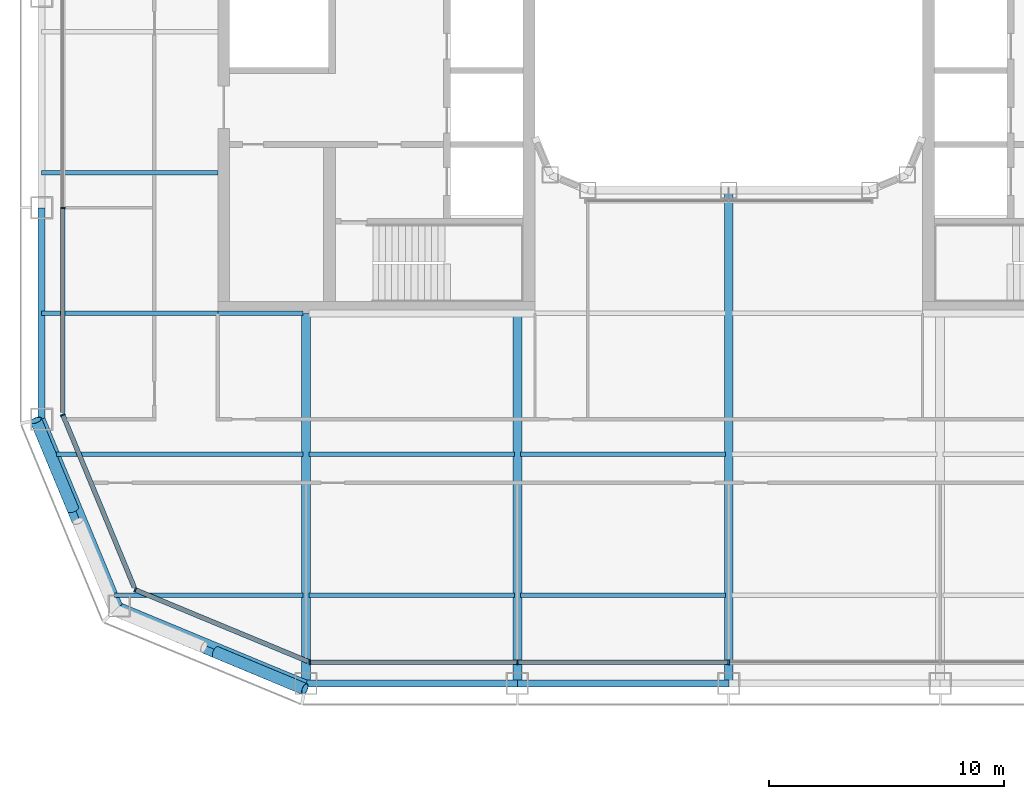
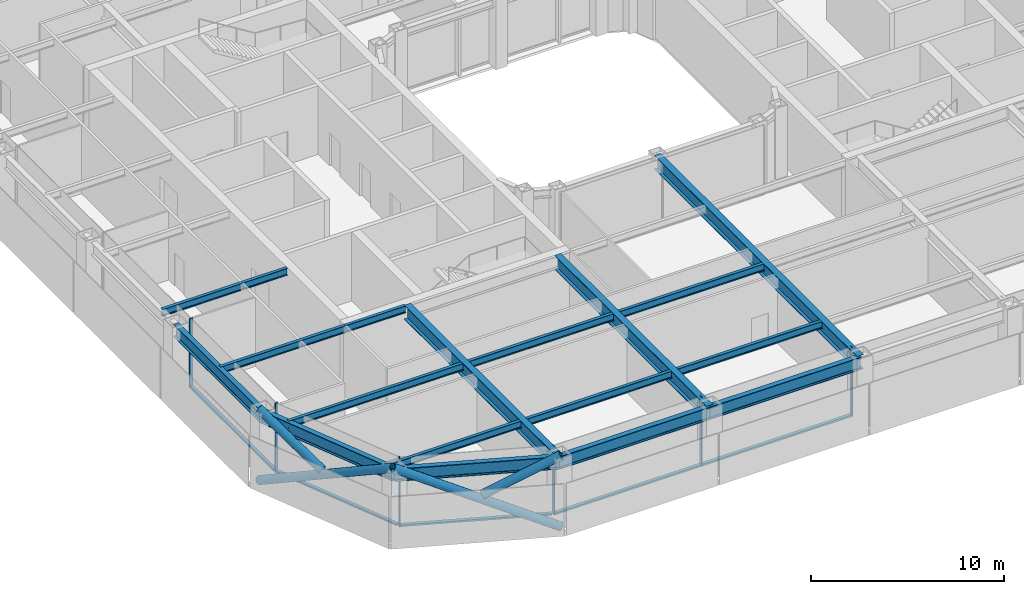
# One storey, part 2 of 23: 17 beams, 15 members, 4 elements without a shape of their own.
"""IFC4 building model written with IfcOpenShell, lengths in metres."""

from ifc_helpers import new_model, si_unit, direction, frame, origin, origin_2d, place, context, subcontext, project, spatial, rectangle, hollow_circle, i_section, extrude, material, layer, layer_set, material_profile, profile_set, type_object, element, aggregate, save


model = new_model("IFC4")

# Units and contexts
model_context = context("Model", 3, precision=1e-05, world=origin(), true_north=direction((0.0, 1.0)))
body_context = subcontext(model_context, "Body", "Model", "MODEL_VIEW")
ifc_project = project(units=[si_unit("LENGTHUNIT", "METRE"), si_unit("AREAUNIT", "SQUARE_METRE"), si_unit("VOLUMEUNIT", "CUBIC_METRE"), si_unit("PLANEANGLEUNIT", "RADIAN"), si_unit("MASSUNIT", "GRAM", prefix="KILO")], contexts=[model_context])

# Site, building, storey
site_placement = place(None, origin())
site = spatial("IfcSite", under=ifc_project, at=site_placement, CompositionType="ELEMENT")
building_placement = place(site_placement, origin())
building = spatial("IfcBuilding", under=site, at=building_placement, Name="Siwar Civic Tower", CompositionType="ELEMENT")
storey_placement = place(building_placement, frame((0.0, 0.0, 127.199951171875)))
storey = spatial("IfcBuildingStorey", under=building, at=storey_placement, Name="L27", CompositionType="ELEMENT", Elevation=127.199951171875)

# Curtain wall, members
ifc_material_1 = material(Name="Aluminium and glass", Category="aluminium")
ifc_layer_1 = layer(ifc_material_1, 0.199951171875)
ifc_layer_set_1 = layer_set([ifc_layer_1], Name="Aluminium and glass")
curtain_wall_type_1 = type_object("IfcCurtainWallType", Name="ENV-CW-B", PredefinedType="NOTDEFINED", material=ifc_layer_set_1)
curtain_wall_1_placement = place(storey_placement, origin())
curtain_wall_1 = element("IfcCurtainWall", 1, at=curtain_wall_1_placement, inside=storey, type_object=curtain_wall_type_1, Name="Curtain wall B S", PredefinedType="NOTDEFINED")
ifc_material_2 = material(Name="Aluminium 6063-T6", Category="aluminium")
ifc_material_profile_1 = material_profile(ifc_material_2, rectangle(XDim=0.199951171875, YDim=0.06494140625, at=origin_2d()), Name="AL 200x65")
ifc_profile_set_1 = profile_set([ifc_material_profile_1], Name="Aluminium 6063-T6")
member_type_1 = type_object("IfcMemberType", Name="ENV-MULLION-B", PredefinedType="MULLION", material=ifc_profile_set_1)
member_1_placement = place(storey_placement, frame((-17.821044921875, -28.35009765625, 0.0), z_axis=(0.0, 0.0, 1.0), x_axis=(0.0, 1.0, 0.0)))
member_1 = element("IfcMember", 2, at=member_1_placement, type_object=member_type_1, Name="Mullion B S 1", PredefinedType="MULLION", context=body_context, shape_type="SweptSolid", body=[
    extrude(rectangle(XDim=0.199951171875, YDim=0.06494140625, at=origin_2d()), origin(), (0.0, 0.0, 1.0), 4.35009765625),
])
member_2_placement = place(storey_placement, frame((-9.0, -28.35009765625, 0.0), z_axis=(0.0, 0.0, 1.0), x_axis=(0.0, 1.0, 0.0)))
member_2 = element("IfcMember", 3, at=member_2_placement, type_object=member_type_1, Name="Mullion B S 2", PredefinedType="MULLION", context=body_context, shape_type="SweptSolid", body=[
    extrude(rectangle(XDim=0.199951171875, YDim=0.06494140625, at=origin_2d()), origin(), (0.0, 0.0, 1.0), 4.35009765625),
])
member_3_placement = place(storey_placement, frame((0.0, -28.35009765625, 0.0), z_axis=(0.0, 0.0, 1.0), x_axis=(0.0, 1.0, 0.0)))
member_3 = element("IfcMember", 4, at=member_3_placement, type_object=member_type_1, Name="Mullion B S 3", PredefinedType="MULLION", context=body_context, shape_type="SweptSolid", body=[
    extrude(rectangle(XDim=0.199951171875, YDim=0.06494140625, at=origin_2d()), origin(), (0.0, 0.0, 1.0), 4.35009765625),
])

# Curtain wall, member
curtain_wall_2_placement = place(storey_placement, origin())
curtain_wall_2 = element("IfcCurtainWall", 5, at=curtain_wall_2_placement, inside=storey, type_object=curtain_wall_type_1, Name="Curtain wall B W", PredefinedType="NOTDEFINED")
member_4_placement = place(storey_placement, frame((-28.35009765625, -9.0, 0.0), z_axis=(0.0, 0.0, 1.0), x_axis=(1.0, 0.0, 0.0)))
member_4 = element("IfcMember", 6, at=member_4_placement, type_object=member_type_1, Name="Mullion B W 4", PredefinedType="MULLION", context=body_context, shape_type="SweptSolid", body=[
    extrude(rectangle(XDim=0.199951171875, YDim=0.06494140625, at=origin_2d()), origin(), (0.0, 0.0, 1.0), 4.35009765625),
])

ifc_material_3 = material(Name="Aluminium clad insulated panel", Category="aluminium")
ifc_layer_2 = layer(ifc_material_3, 0.199951171875)
ifc_layer_set_2 = layer_set([ifc_layer_2], Name="Aluminium clad insulated panel")
curtain_wall_type_2 = type_object("IfcCurtainWallType", Name="ENV-CW-BX", PredefinedType="NOTDEFINED", material=ifc_layer_set_2)
curtain_wall_3_placement = place(storey_placement, origin())
curtain_wall_3 = element("IfcCurtainWall", 7, at=curtain_wall_3_placement, inside=storey, type_object=curtain_wall_type_2, Name="Curtain wall B SW1", PredefinedType="NOTDEFINED")
member_5_placement = place(storey_placement, frame((-28.35009765625, -17.821044921875, 0.0), z_axis=(0.0, 0.0, 1.0), x_axis=(0.923879532511, 0.382683432365, 0.0)))
member_5 = element("IfcMember", 8, at=member_5_placement, type_object=member_type_1, Name="Mullion B SW1 1", PredefinedType="MULLION", context=body_context, shape_type="SweptSolid", body=[
    extrude(rectangle(XDim=0.199951171875, YDim=0.06494140625, at=origin_2d()), origin(), (0.0, 0.0, 1.0), 4.35009765625),
])

curtain_wall_4_placement = place(storey_placement, origin())
curtain_wall_4 = element("IfcCurtainWall", 9, at=curtain_wall_4_placement, inside=storey, type_object=curtain_wall_type_2, Name="Curtain wall B SW2", PredefinedType="NOTDEFINED")
member_6_placement = place(storey_placement, frame((-25.26611328125, -25.26611328125, 0.0), z_axis=(0.0, 0.0, 1.0), x_axis=(0.382683432365, 0.923879532511, 0.0)))
member_6 = element("IfcMember", 10, at=member_6_placement, type_object=member_type_1, Name="Mullion B SW2 1", PredefinedType="MULLION", context=body_context, shape_type="SweptSolid", body=[
    extrude(rectangle(XDim=0.199951171875, YDim=0.06494140625, at=origin_2d()), origin(), (0.0, 0.0, 1.0), 4.35009765625),
])

# Member
ifc_material_4 = material(Name="Aluminium 6063-T6", Category="aluminium")
ifc_material_profile_2 = material_profile(ifc_material_4, rectangle(XDim=0.199951171875, YDim=0.110107421875, at=origin_2d()), Name="AL 200x110")
ifc_profile_set_2 = profile_set([ifc_material_profile_2], Name="Aluminium 6063-T6")
member_type_2 = type_object("IfcMemberType", Name="ENV-TRANSOM-B", PredefinedType="USERDEFINED", material=ifc_profile_set_2)
member_7_placement = place(storey_placement, frame((-17.78857421875, -28.35009765625, 0.054931640625), z_axis=(1.0, 0.0, 0.0), x_axis=(0.0, 1.0, 0.0)))
member_7 = element("IfcMember", 11, at=member_7_placement, type_object=member_type_2, Name="Transom B S 1", ObjectType="TRANSOM", PredefinedType="USERDEFINED", context=body_context, shape_type="SweptSolid", body=[
    extrude(rectangle(XDim=0.199951171875, YDim=0.110107421875, at=origin_2d()), origin(), (0.0, 0.0, 1.0), 8.756103515625),
])

member_8_placement = place(storey_placement, frame((-8.967529296875, -28.35009765625, 0.054931640625), z_axis=(1.0, 0.0, 0.0), x_axis=(0.0, 1.0, 0.0)))
member_8 = element("IfcMember", 12, at=member_8_placement, type_object=member_type_2, Name="Transom B S 2", ObjectType="TRANSOM", PredefinedType="USERDEFINED", context=body_context, shape_type="SweptSolid", body=[
    extrude(rectangle(XDim=0.199951171875, YDim=0.110107421875, at=origin_2d()), origin(), (0.0, 0.0, 1.0), 8.93505859375),
])

aggregate(curtain_wall_1, [member_1, member_2, member_3, member_7, member_8])

member_9_placement = place(storey_placement, frame((-28.35009765625, -9.032470703125, 0.054931640625), z_axis=(0.0, -1.0, 0.0), x_axis=(1.0, 0.0, 0.0)))
member_9 = element("IfcMember", 13, at=member_9_placement, type_object=member_type_2, Name="Transom B W 4", ObjectType="TRANSOM", PredefinedType="USERDEFINED", context=body_context, shape_type="SweptSolid", body=[
    extrude(rectangle(XDim=0.199951171875, YDim=0.110107421875, at=origin_2d()), origin(), (0.0, 0.0, 1.0), 8.6748046875),
])

aggregate(curtain_wall_2, [member_4, member_9])

member_10_placement = place(storey_placement, frame((-28.337646484375, -17.85107421875, 0.054931640625), z_axis=(0.382699695651, -0.92387279587, 0.0), x_axis=(0.92387279587, 0.382699695651, 0.0)))
member_10 = element("IfcMember", 14, at=member_10_placement, type_object=member_type_2, Name="Transom B SW1 1", ObjectType="TRANSOM", PredefinedType="USERDEFINED", context=body_context, shape_type="SweptSolid", body=[
    extrude(rectangle(XDim=0.199951171875, YDim=0.110107421875, at=origin_2d()), origin(), (0.0, 0.0, 1.0), 7.912353515625),
])

aggregate(curtain_wall_3, [member_5, member_10])

member_11_placement = place(storey_placement, frame((-25.236083984375, -25.278564453125, 0.054931640625), z_axis=(0.923883705044, -0.382673358825, 0.0), x_axis=(0.382673358825, 0.923883705044, 0.0)))
member_11 = element("IfcMember", 15, at=member_11_placement, type_object=member_type_2, Name="Transom B SW2 1", ObjectType="TRANSOM", PredefinedType="USERDEFINED", context=body_context, shape_type="SweptSolid", body=[
    extrude(rectangle(XDim=0.199951171875, YDim=0.110107421875, at=origin_2d()), origin(), (0.0, 0.0, 1.0), 7.912353515625),
])

aggregate(curtain_wall_4, [member_6, member_11])

# Members
ifc_material_5 = material(Name="Steel S355", Category="steel")
ifc_material_profile_3 = material_profile(ifc_material_5, hollow_circle(Radius=0.25390625, WallThickness=0.02490234375, at=origin_2d()), Name="CHS508x25")
ifc_profile_set_3 = profile_set([ifc_material_profile_3], Name="Steel S355")
member_type_3 = type_object("IfcMemberType", Name="STR-BR-CHS508x25", PredefinedType="BRACE", material=ifc_profile_set_3)
member_12_placement = place(storey_placement, frame((-18.048828125, -29.4951171875, 0.0), z_axis=(-0.821142553604, 0.341671493852, 0.457149315816), x_axis=(-0.384163874976, -0.923264922524, 0.0)))
element("IfcMember", 16, at=member_12_placement, inside=storey, type_object=member_type_3, Name="L27/brc/BSW1-6-0-1", PredefinedType="BRACE", context=body_context, shape_type="SweptSolid", body=[
    extrude(hollow_circle(Radius=0.25390625, WallThickness=0.02490234375, at=origin_2d()), origin(), (0.0, 0.0, 1.0), 9.843505859375),
])
member_13_placement = place(storey_placement, frame((-21.837890625, -27.91845703125, 2.390625), z_axis=(0.821145902409, -0.34168558233, 0.457132770413), x_axis=(0.384176042158, 0.923259859753, 0.0)))
element("IfcMember", 17, at=member_13_placement, inside=storey, type_object=member_type_3, Name="L27/brc/BSW1-6-0-3", PredefinedType="BRACE", context=body_context, shape_type="SweptSolid", body=[
    extrude(hollow_circle(Radius=0.25390625, WallThickness=0.02490234375, at=origin_2d()), origin(), (0.0, 0.0, 1.0), 4.6142578125),
])
member_14_placement = place(storey_placement, frame((-29.4951171875, -18.048828125, 0.0), z_axis=(0.341671493852, -0.821142553604, 0.457149315816), x_axis=(0.923264922524, 0.384163874976, 0.0)))
element("IfcMember", 18, at=member_14_placement, inside=storey, type_object=member_type_3, Name="L27/brc/BSW1-6-0-0", PredefinedType="BRACE", context=body_context, shape_type="SweptSolid", body=[
    extrude(hollow_circle(Radius=0.25390625, WallThickness=0.02490234375, at=origin_2d()), origin(), (0.0, 0.0, 1.0), 9.843505859375),
])
member_15_placement = place(storey_placement, frame((-27.91845703125, -21.837890625, 2.390625), z_axis=(-0.34168558233, 0.821145902409, 0.457132770413), x_axis=(-0.923259859753, -0.384176042158, 0.0)))
element("IfcMember", 19, at=member_15_placement, inside=storey, type_object=member_type_3, Name="L27/brc/BSW1-6-0-5", PredefinedType="BRACE", context=body_context, shape_type="SweptSolid", body=[
    extrude(hollow_circle(Radius=0.25390625, WallThickness=0.02490234375, at=origin_2d()), origin(), (0.0, 0.0, 1.0), 4.6142578125),
])

# Beams
ifc_material_6 = material(Name="Steel S355", Category="steel")
ifc_material_profile_4 = material_profile(ifc_material_6, i_section(OverallWidth=0.18994140625, OverallDepth=0.449951171875, WebThickness=0.009521484375, FlangeThickness=0.0146484375, FilletRadius=0.02099609375, at=origin_2d()), Name="IPE450")
ifc_profile_set_4 = profile_set([ifc_material_profile_4], Name="Steel S355")
beam_type_1 = type_object("IfcBeamType", Name="STR-FB-IPE450", PredefinedType="JOIST", material=ifc_profile_set_4)
beam_1_placement = place(storey_placement, frame((-26.143310546875, -25.5, 4.125), z_axis=(1.0, 0.0, 0.0), x_axis=(0.0, 1.0, 0.0)))
element("IfcBeam", 20, at=beam_1_placement, inside=storey, type_object=beam_type_1, Name="L27/bm/F001", PredefinedType="JOIST", context=body_context, shape_type="SweptSolid", body=[
    extrude(i_section(OverallWidth=0.18994140625, OverallDepth=0.449951171875, WebThickness=0.009521484375, FlangeThickness=0.0146484375, FilletRadius=0.02099609375, at=origin_2d()), origin(), (0.0, 0.0, 1.0), 8.013427734375),
])
for number, where, z_axis, x_axis, name in (
    (21, (-17.8701171875, -25.5, 4.125), (1.0, 0.0, 0.0), (0.0, 1.0, 0.0), "L27/bm/F002"),
    (22, (-8.8701171875, -25.5, 4.125), (1.0, 0.0, 0.0), (0.0, 1.0, 0.0), "L27/bm/F003"),
):
    element("IfcBeam", number, at=place(storey_placement, frame(where, z_axis=z_axis, x_axis=x_axis)), inside=storey, type_object=beam_type_1, Name=name, PredefinedType="JOIST", context=body_context, shape_type="SweptSolid", body=[
        extrude(i_section(OverallWidth=0.18994140625, OverallDepth=0.449951171875, WebThickness=0.009521484375, FlangeThickness=0.0146484375, FilletRadius=0.02099609375, at=origin_2d()), origin(), (0.0, 0.0, 1.0), 8.740234375),
    ])
beam_2_placement = place(storey_placement, frame((-28.628662109375, -19.5, 4.125), z_axis=(1.0, 0.0, 0.0), x_axis=(0.0, 1.0, 0.0)))
element("IfcBeam", 23, at=beam_2_placement, inside=storey, type_object=beam_type_1, Name="L27/bm/F007", PredefinedType="JOIST", context=body_context, shape_type="SweptSolid", body=[
    extrude(i_section(OverallWidth=0.18994140625, OverallDepth=0.449951171875, WebThickness=0.009521484375, FlangeThickness=0.0146484375, FilletRadius=0.02099609375, at=origin_2d()), origin(), (0.0, 0.0, 1.0), 10.498779296875),
])
for number, where, z_axis, x_axis, name in (
    (24, (-17.8701171875, -19.5, 4.125), (1.0, 0.0, 0.0), (0.0, 1.0, 0.0), "L27/bm/F008"),
    (25, (-8.8701171875, -19.5, 4.125), (1.0, 0.0, 0.0), (0.0, 1.0, 0.0), "L27/bm/F009"),
):
    element("IfcBeam", number, at=place(storey_placement, frame(where, z_axis=z_axis, x_axis=x_axis)), inside=storey, type_object=beam_type_1, Name=name, PredefinedType="JOIST", context=body_context, shape_type="SweptSolid", body=[
        extrude(i_section(OverallWidth=0.18994140625, OverallDepth=0.449951171875, WebThickness=0.009521484375, FlangeThickness=0.0146484375, FilletRadius=0.02099609375, at=origin_2d()), origin(), (0.0, 0.0, 1.0), 8.740234375),
    ])
beam_3_placement = place(storey_placement, frame((-29.25, -13.5, 4.125), z_axis=(1.0, 0.0, 0.0), x_axis=(0.0, 1.0, 0.0)))
element("IfcBeam", 26, at=beam_3_placement, inside=storey, type_object=beam_type_1, Name="L27/bm/F013", PredefinedType="JOIST", context=body_context, shape_type="SweptSolid", body=[
    extrude(i_section(OverallWidth=0.18994140625, OverallDepth=0.449951171875, WebThickness=0.009521484375, FlangeThickness=0.0146484375, FilletRadius=0.02099609375, at=origin_2d()), origin(), (0.0, 0.0, 1.0), 7.5),
])
beam_4_placement = place(storey_placement, frame((-21.75, -13.5, 4.125), z_axis=(1.0, 0.0, 0.0), x_axis=(0.0, 1.0, 0.0)))
element("IfcBeam", 27, at=beam_4_placement, inside=storey, type_object=beam_type_1, Name="L27/bm/F014", PredefinedType="JOIST", context=body_context, shape_type="SweptSolid", body=[
    extrude(i_section(OverallWidth=0.18994140625, OverallDepth=0.449951171875, WebThickness=0.009521484375, FlangeThickness=0.0146484375, FilletRadius=0.02099609375, at=origin_2d()), origin(), (0.0, 0.0, 1.0), 3.6201171875),
])
beam_5_placement = place(storey_placement, frame((-29.25, -7.5, 4.125), z_axis=(1.0, 0.0, 0.0), x_axis=(0.0, 1.0, 0.0)))
element("IfcBeam", 28, at=beam_5_placement, inside=storey, type_object=beam_type_1, Name="L27/bm/F021", PredefinedType="JOIST", context=body_context, shape_type="SweptSolid", body=[
    extrude(i_section(OverallWidth=0.18994140625, OverallDepth=0.449951171875, WebThickness=0.009521484375, FlangeThickness=0.0146484375, FilletRadius=0.02099609375, at=origin_2d()), origin(), (0.0, 0.0, 1.0), 7.5),
])
ifc_material_7 = material(Name="Steel S355", Category="steel")
ifc_material_profile_5 = material_profile(ifc_material_7, i_section(OverallWidth=0.3798828125, OverallDepth=0.89990234375, WebThickness=0.01611328125, FlangeThickness=0.035888671875, at=origin_2d()), Name="PG900x380x16x36")
ifc_profile_set_5 = profile_set([ifc_material_profile_5], Name="Steel S355")
beam_type_2 = type_object("IfcBeamType", Name="STR-PG-PG900x380x16x36", PredefinedType="BEAM", material=ifc_profile_set_5)
for number, where, z_axis, x_axis, name in (
    (29, (-18.0, -29.25, 3.900146484375), (0.0, 1.0, 0.0), (-1.0, 0.0, 0.0), "L27/bm/G01"),
    (30, (-9.0, -29.25, 3.900146484375), (0.0, 1.0, 0.0), (-1.0, 0.0, 0.0), "L27/bm/G03"),
):
    element("IfcBeam", number, at=place(storey_placement, frame(where, z_axis=z_axis, x_axis=x_axis)), inside=storey, type_object=beam_type_2, Name=name, PredefinedType="BEAM", context=body_context, shape_type="SweptSolid", body=[
        extrude(i_section(OverallWidth=0.3798828125, OverallDepth=0.89990234375, WebThickness=0.01611328125, FlangeThickness=0.035888671875, at=origin_2d()), origin(), (0.0, 0.0, 1.0), 15.75),
    ])
beam_6_placement = place(storey_placement, frame((0.0, -29.25, 3.900146484375), z_axis=(0.0, 1.0, 0.0), x_axis=(-1.0, 0.0, 0.0)))
element("IfcBeam", 31, at=beam_6_placement, inside=storey, type_object=beam_type_2, Name="L27/bm/G05", PredefinedType="BEAM", context=body_context, shape_type="SweptSolid", body=[
    extrude(i_section(OverallWidth=0.3798828125, OverallDepth=0.89990234375, WebThickness=0.01611328125, FlangeThickness=0.035888671875, at=origin_2d()), origin(), (0.0, 0.0, 1.0), 21.0),
])
ifc_material_8 = material(Name="Steel S355", Category="steel")
ifc_material_profile_6 = material_profile(ifc_material_8, i_section(OverallWidth=0.300048828125, OverallDepth=0.800048828125, WebThickness=0.017578125, FlangeThickness=0.032958984375, FilletRadius=0.030029296875, at=origin_2d()), Name="HEB800")
ifc_profile_set_6 = profile_set([ifc_material_profile_6], Name="Steel S355")
beam_type_3 = type_object("IfcBeamType", Name="STR-SB-HEB800", PredefinedType="BEAM", material=ifc_profile_set_6)
for number, where, z_axis, x_axis, name in (
    (32, (-18.0, -29.25, 3.949951171875), (1.0, 0.0, 0.0), (0.0, 1.0, 0.0), "L27/bm/SS-0"),
    (33, (-9.0, -29.25, 3.949951171875), (1.0, 0.0, 0.0), (0.0, 1.0, 0.0), "L27/bm/SS-1"),
    (34, (-29.25, -9.0, 3.949951171875), (0.0, -1.0, 0.0), (1.0, 0.0, 0.0), "L27/bm/SW-3"),
):
    element("IfcBeam", number, at=place(storey_placement, frame(where, z_axis=z_axis, x_axis=x_axis)), inside=storey, type_object=beam_type_3, Name=name, PredefinedType="BEAM", context=body_context, shape_type="SweptSolid", body=[
        extrude(i_section(OverallWidth=0.300048828125, OverallDepth=0.800048828125, WebThickness=0.017578125, FlangeThickness=0.032958984375, FilletRadius=0.030029296875, at=origin_2d()), origin(), (0.0, 0.0, 1.0), 9.0),
    ])
for number, where, z_axis, x_axis, name in (
    (35, (-29.25, -18.0, 3.949951171875), (0.382699877515, -0.923872720536, 0.0), (0.923872720536, 0.382699877515, 0.0), "L27/bm/SSW1-0"),
    (36, (-25.954833984375, -25.954833984375, 3.949951171875), (0.923872720536, -0.382699877515, 0.0), (0.382699877515, 0.923872720536, 0.0), "L27/bm/SSW2-0"),
):
    element("IfcBeam", number, at=place(storey_placement, frame(where, z_axis=z_axis, x_axis=x_axis)), inside=storey, type_object=beam_type_3, Name=name, PredefinedType="BEAM", context=body_context, shape_type="SweptSolid", body=[
        extrude(i_section(OverallWidth=0.300048828125, OverallDepth=0.800048828125, WebThickness=0.017578125, FlangeThickness=0.032958984375, FilletRadius=0.030029296875, at=origin_2d()), origin(), (0.0, 0.0, 1.0), 8.6103515625),
    ])

save(model, "model.ifc")
